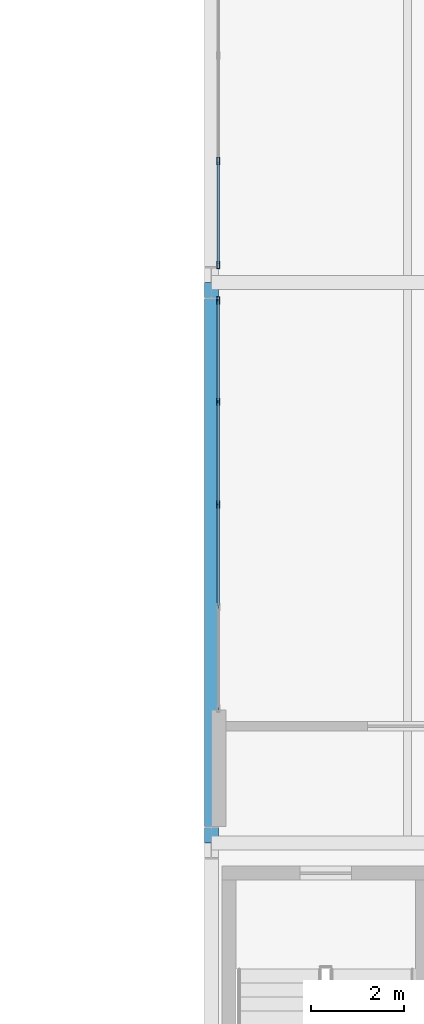
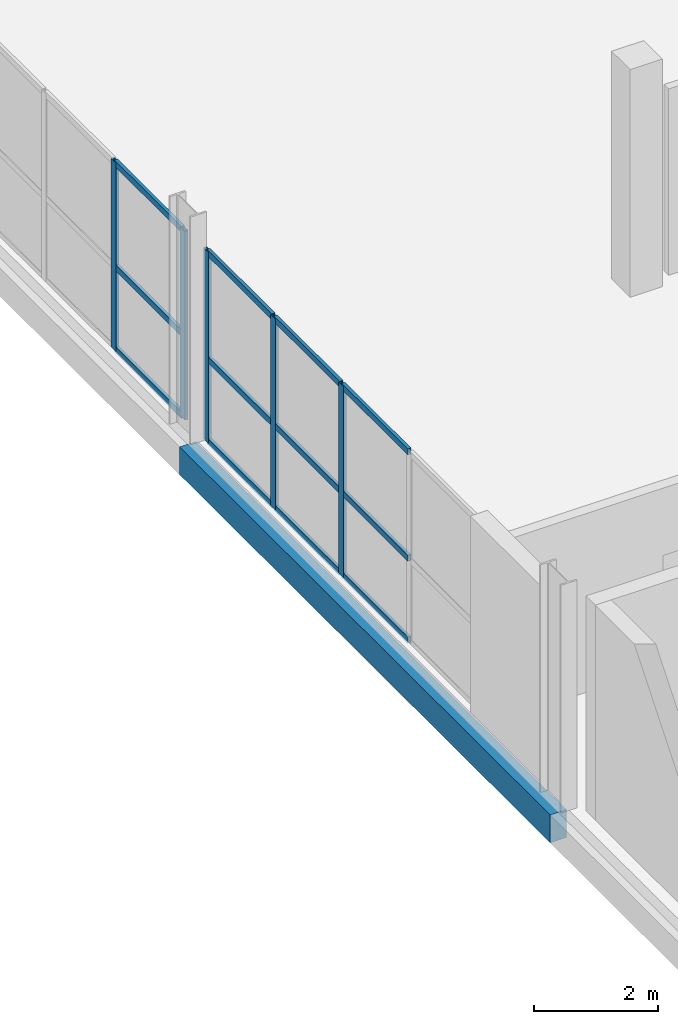
# One storey, part 45 of 113: 17 members, 1 beam, 2 elements without a shape of their own.
"""IFC4 building model written with IfcOpenShell, lengths in metres."""

from ifc_helpers import new_model, si_unit, direction, frame, origin, origin_2d, place, context, subcontext, project, spatial, rectangle, hollow_rectangle, extrude, material, material_profile, profile_set, type_object, element, aggregate, save


model = new_model("IFC4")

# Units and contexts
model_context = context("Model", 3, precision=1e-05, world=origin(), true_north=direction((0.0, 1.0)))
body_context = subcontext(model_context, "Body", "Model", "MODEL_VIEW")
ifc_project = project(units=[si_unit("LENGTHUNIT", "METRE"), si_unit("AREAUNIT", "SQUARE_METRE"), si_unit("VOLUMEUNIT", "CUBIC_METRE"), si_unit("PLANEANGLEUNIT", "RADIAN"), si_unit("MASSUNIT", "GRAM", prefix="KILO")], contexts=[model_context])

# Site, building, storey
site_placement = place(None, origin())
site = spatial("IfcSite", under=ifc_project, at=site_placement, CompositionType="ELEMENT")
building_placement = place(site_placement, origin())
building = spatial("IfcBuilding", under=site, at=building_placement, Name="Veltarok Museum of Natural Sciences", CompositionType="ELEMENT")
storey_placement = place(building_placement, frame((0.0, 0.0, 8.39990234375)))
storey = spatial("IfcBuildingStorey", under=building, at=storey_placement, Name="L01", CompositionType="ELEMENT", Elevation=8.39990234375)

# Curtain wall, members
ifc_material_1 = material(Name="Low-iron triple insulated glass", Category="glass")
curtain_wall_type_1 = type_object("IfcCurtainWallType", Name="Curtain Wall System CW-V5CW-L01-2-880x378 (CW-V5CW L01 880x378cm)", PredefinedType="NOTDEFINED", material=ifc_material_1)
curtain_wall_1_placement = place(storey_placement, origin())
curtain_wall_1 = element("IfcCurtainWall", 1, at=curtain_wall_1_placement, inside=storey, type_object=curtain_wall_type_1, Name="Curtain Wall CW-V5CW-L01-2-880x378 CW-0174", PredefinedType="NOTDEFINED")
ifc_material_2 = material(Name="Thermally broken anodised aluminium", Category="aluminium")
ifc_material_profile_1 = material_profile(ifc_material_2, hollow_rectangle(XDim=0.06005859375, YDim=0.1201171875, WallThickness=0.0048828125, at=origin_2d()), Name="CW TRANSOM 60x120x5")
ifc_profile_set_1 = profile_set([ifc_material_profile_1], Name="Thermally broken anodised aluminium")
member_type_1 = type_object("IfcMemberType", Name="Curtain Wall Horizontal Transom 60x120x5", PredefinedType="USERDEFINED", material=ifc_profile_set_1)
member_1_placement = place(storey_placement, frame((132.550048828125, 41.080078125, 0.028076171875), z_axis=(0.0, 1.0, 0.0), x_axis=(-1.0, 0.0, 0.0)))
member_1 = element("IfcMember", 2, at=member_1_placement, type_object=member_type_1, Name="CW-V5CW-L01-2-880x378 transom 2.1", ObjectType="TRANSOM", PredefinedType="USERDEFINED", context=body_context, shape_type="SweptSolid", body=[
    extrude(hollow_rectangle(XDim=0.06005859375, YDim=0.1201171875, WallThickness=0.0048828125, at=origin_2d()), origin(), (0.0, 0.0, 1.0), 2.139892578125),
])
member_2_placement = place(storey_placement, frame((132.550048828125, 41.080078125, 1.648193359375), z_axis=(0.0, 1.0, 0.0), x_axis=(-1.0, 0.0, 0.0)))
member_2 = element("IfcMember", 3, at=member_2_placement, type_object=member_type_1, Name="CW-V5CW-L01-2-880x378 transom 2.2", ObjectType="TRANSOM", PredefinedType="USERDEFINED", context=body_context, shape_type="SweptSolid", body=[
    extrude(hollow_rectangle(XDim=0.06005859375, YDim=0.1201171875, WallThickness=0.0048828125, at=origin_2d()), origin(), (0.0, 0.0, 1.0), 2.139892578125),
])
member_3_placement = place(storey_placement, frame((132.550048828125, 41.080078125, 3.75), z_axis=(0.0, 1.0, 0.0), x_axis=(-1.0, 0.0, 0.0)))
member_3 = element("IfcMember", 4, at=member_3_placement, type_object=member_type_1, Name="CW-V5CW-L01-2-880x378 transom 2.3", ObjectType="TRANSOM", PredefinedType="USERDEFINED", context=body_context, shape_type="SweptSolid", body=[
    extrude(hollow_rectangle(XDim=0.06005859375, YDim=0.1201171875, WallThickness=0.0048828125, at=origin_2d()), origin(), (0.0, 0.0, 1.0), 2.139892578125),
])
member_4_placement = place(storey_placement, frame((132.550048828125, 43.280029296875, 0.028076171875), z_axis=(0.0, 1.0, 0.0), x_axis=(-1.0, 0.0, 0.0)))
member_4 = element("IfcMember", 5, at=member_4_placement, type_object=member_type_1, Name="CW-V5CW-L01-2-880x378 transom 3.1", ObjectType="TRANSOM", PredefinedType="USERDEFINED", context=body_context, shape_type="SweptSolid", body=[
    extrude(hollow_rectangle(XDim=0.06005859375, YDim=0.1201171875, WallThickness=0.0048828125, at=origin_2d()), origin(), (0.0, 0.0, 1.0), 2.139892578125),
])
member_5_placement = place(storey_placement, frame((132.550048828125, 43.280029296875, 1.648193359375), z_axis=(0.0, 1.0, 0.0), x_axis=(-1.0, 0.0, 0.0)))
member_5 = element("IfcMember", 6, at=member_5_placement, type_object=member_type_1, Name="CW-V5CW-L01-2-880x378 transom 3.2", ObjectType="TRANSOM", PredefinedType="USERDEFINED", context=body_context, shape_type="SweptSolid", body=[
    extrude(hollow_rectangle(XDim=0.06005859375, YDim=0.1201171875, WallThickness=0.0048828125, at=origin_2d()), origin(), (0.0, 0.0, 1.0), 2.139892578125),
])
member_6_placement = place(storey_placement, frame((132.550048828125, 43.280029296875, 3.75), z_axis=(0.0, 1.0, 0.0), x_axis=(-1.0, 0.0, 0.0)))
member_6 = element("IfcMember", 7, at=member_6_placement, type_object=member_type_1, Name="CW-V5CW-L01-2-880x378 transom 3.3", ObjectType="TRANSOM", PredefinedType="USERDEFINED", context=body_context, shape_type="SweptSolid", body=[
    extrude(hollow_rectangle(XDim=0.06005859375, YDim=0.1201171875, WallThickness=0.0048828125, at=origin_2d()), origin(), (0.0, 0.0, 1.0), 2.139892578125),
])
member_7_placement = place(storey_placement, frame((132.550048828125, 45.47998046875, 0.028076171875), z_axis=(0.0, 1.0, 0.0), x_axis=(-1.0, 0.0, 0.0)))
member_7 = element("IfcMember", 8, at=member_7_placement, type_object=member_type_1, Name="CW-V5CW-L01-2-880x378 transom 4.1", ObjectType="TRANSOM", PredefinedType="USERDEFINED", context=body_context, shape_type="SweptSolid", body=[
    extrude(hollow_rectangle(XDim=0.06005859375, YDim=0.1201171875, WallThickness=0.0048828125, at=origin_2d()), origin(), (0.0, 0.0, 1.0), 2.110107421875),
])
member_8_placement = place(storey_placement, frame((132.550048828125, 45.47998046875, 1.648193359375), z_axis=(0.0, 1.0, 0.0), x_axis=(-1.0, 0.0, 0.0)))
member_8 = element("IfcMember", 9, at=member_8_placement, type_object=member_type_1, Name="CW-V5CW-L01-2-880x378 transom 4.2", ObjectType="TRANSOM", PredefinedType="USERDEFINED", context=body_context, shape_type="SweptSolid", body=[
    extrude(hollow_rectangle(XDim=0.06005859375, YDim=0.1201171875, WallThickness=0.0048828125, at=origin_2d()), origin(), (0.0, 0.0, 1.0), 2.110107421875),
])
member_9_placement = place(storey_placement, frame((132.550048828125, 45.47998046875, 3.75), z_axis=(0.0, 1.0, 0.0), x_axis=(-1.0, 0.0, 0.0)))
member_9 = element("IfcMember", 10, at=member_9_placement, type_object=member_type_1, Name="CW-V5CW-L01-2-880x378 transom 4.3", ObjectType="TRANSOM", PredefinedType="USERDEFINED", context=body_context, shape_type="SweptSolid", body=[
    extrude(hollow_rectangle(XDim=0.06005859375, YDim=0.1201171875, WallThickness=0.0048828125, at=origin_2d()), origin(), (0.0, 0.0, 1.0), 2.110107421875),
])

curtain_wall_type_2 = type_object("IfcCurtainWallType", Name="Curtain Wall System CW-V5CW-L01-3-1130x373 (CW-V5CW L01 1130x373cm)", PredefinedType="NOTDEFINED", material=ifc_material_1)
curtain_wall_2_placement = place(storey_placement, origin())
curtain_wall_2 = element("IfcCurtainWall", 11, at=curtain_wall_2_placement, inside=storey, type_object=curtain_wall_type_2, Name="Curtain Wall CW-V5CW-L01-3-1130x373 CW-0175", PredefinedType="NOTDEFINED")
member_10_placement = place(storey_placement, frame((132.550048828125, 48.409912109375, 0.028076171875), z_axis=(0.0, 1.0, 0.0), x_axis=(-1.0, 0.0, 0.0)))
member_10 = element("IfcMember", 12, at=member_10_placement, type_object=member_type_1, Name="CW-V5CW-L01-3-1130x373 transom 1.1", ObjectType="TRANSOM", PredefinedType="USERDEFINED", context=body_context, shape_type="SweptSolid", body=[
    extrude(hollow_rectangle(XDim=0.06005859375, YDim=0.1201171875, WallThickness=0.0048828125, at=origin_2d()), origin(), (0.0, 0.0, 1.0), 2.170166015625),
])
member_11_placement = place(storey_placement, frame((132.550048828125, 48.409912109375, 1.648193359375), z_axis=(0.0, 1.0, 0.0), x_axis=(-1.0, 0.0, 0.0)))
member_11 = element("IfcMember", 13, at=member_11_placement, type_object=member_type_1, Name="CW-V5CW-L01-3-1130x373 transom 1.2", ObjectType="TRANSOM", PredefinedType="USERDEFINED", context=body_context, shape_type="SweptSolid", body=[
    extrude(hollow_rectangle(XDim=0.06005859375, YDim=0.1201171875, WallThickness=0.0048828125, at=origin_2d()), origin(), (0.0, 0.0, 1.0), 2.170166015625),
])
member_12_placement = place(storey_placement, frame((132.550048828125, 48.409912109375, 3.7001953125), z_axis=(0.0, 1.0, 0.0), x_axis=(-1.0, 0.0, 0.0)))
member_12 = element("IfcMember", 14, at=member_12_placement, type_object=member_type_1, Name="CW-V5CW-L01-3-1130x373 transom 1.3", ObjectType="TRANSOM", PredefinedType="USERDEFINED", context=body_context, shape_type="SweptSolid", body=[
    extrude(hollow_rectangle(XDim=0.06005859375, YDim=0.1201171875, WallThickness=0.0048828125, at=origin_2d()), origin(), (0.0, 0.0, 1.0), 2.170166015625),
])

# Member
ifc_material_profile_2 = material_profile(ifc_material_2, hollow_rectangle(XDim=0.06005859375, YDim=0.159912109375, WallThickness=0.0048828125, at=origin_2d()), Name="CW MULLION 60x160x5")
ifc_profile_set_2 = profile_set([ifc_material_profile_2], Name="Thermally broken anodised aluminium")
member_type_2 = type_object("IfcMemberType", Name="Curtain Wall Vertical Mullion 60x160x5", PredefinedType="MULLION", material=ifc_profile_set_2)
member_13_placement = place(storey_placement, frame((132.550048828125, 43.25, -0.001953125), z_axis=(0.0, 0.0, 1.0), x_axis=(-1.0, 0.0, 0.0)))
member_13 = element("IfcMember", 15, at=member_13_placement, type_object=member_type_2, Name="CW-V5CW-L01-2-880x378 mullion 3", PredefinedType="MULLION", context=body_context, shape_type="SweptSolid", body=[
    extrude(hollow_rectangle(XDim=0.06005859375, YDim=0.159912109375, WallThickness=0.0048828125, at=origin_2d()), origin(), (0.0, 0.0, 1.0), 3.781982421875),
])

member_14_placement = place(storey_placement, frame((132.550048828125, 45.449951171875, -0.001953125), z_axis=(0.0, 0.0, 1.0), x_axis=(-1.0, 0.0, 0.0)))
member_14 = element("IfcMember", 16, at=member_14_placement, type_object=member_type_2, Name="CW-V5CW-L01-2-880x378 mullion 4", PredefinedType="MULLION", context=body_context, shape_type="SweptSolid", body=[
    extrude(hollow_rectangle(XDim=0.06005859375, YDim=0.159912109375, WallThickness=0.0048828125, at=origin_2d()), origin(), (0.0, 0.0, 1.0), 3.781982421875),
])

member_15_placement = place(storey_placement, frame((132.550048828125, 47.6201171875, -0.001953125), z_axis=(0.0, 0.0, 1.0), x_axis=(-1.0, 0.0, 0.0)))
member_15 = element("IfcMember", 17, at=member_15_placement, type_object=member_type_2, Name="CW-V5CW-L01-2-880x378 mullion 5", PredefinedType="MULLION", context=body_context, shape_type="SweptSolid", body=[
    extrude(hollow_rectangle(XDim=0.06005859375, YDim=0.159912109375, WallThickness=0.0048828125, at=origin_2d()), origin(), (0.0, 0.0, 1.0), 3.781982421875),
])

aggregate(curtain_wall_1, [member_13, member_14, member_15, member_1, member_2, member_3, member_4, member_5, member_6, member_7, member_8, member_9])

member_16_placement = place(storey_placement, frame((132.550048828125, 48.3798828125, -0.001953125), z_axis=(0.0, 0.0, 1.0), x_axis=(-1.0, 0.0, 0.0)))
member_16 = element("IfcMember", 18, at=member_16_placement, type_object=member_type_2, Name="CW-V5CW-L01-3-1130x373 mullion 1", PredefinedType="MULLION", context=body_context, shape_type="SweptSolid", body=[
    extrude(hollow_rectangle(XDim=0.06005859375, YDim=0.159912109375, WallThickness=0.0048828125, at=origin_2d()), origin(), (0.0, 0.0, 1.0), 3.73193359375),
])

member_17_placement = place(storey_placement, frame((132.550048828125, 50.610107421875, -0.001953125), z_axis=(0.0, 0.0, 1.0), x_axis=(-1.0, 0.0, 0.0)))
member_17 = element("IfcMember", 19, at=member_17_placement, type_object=member_type_2, Name="CW-V5CW-L01-3-1130x373 mullion 2", PredefinedType="MULLION", context=body_context, shape_type="SweptSolid", body=[
    extrude(hollow_rectangle(XDim=0.06005859375, YDim=0.159912109375, WallThickness=0.0048828125, at=origin_2d()), origin(), (0.0, 0.0, 1.0), 3.73193359375),
])

aggregate(curtain_wall_2, [member_16, member_17, member_10, member_11, member_12])

# Beam
ifc_material_3 = material(Name="Precast concrete C40/50", Category="concrete")
ifc_material_profile_3 = material_profile(ifc_material_3, rectangle(XDim=0.300048828125, YDim=0.550048828125, at=origin_2d()), Name="RC 300x550")
ifc_profile_set_3 = profile_set([ifc_material_profile_3], Name="Precast concrete C40/50")
beam_type = type_object("IfcBeamType", Name="East Wing Precast Spandrel RC 300x550", PredefinedType="SPANDREL", material=ifc_profile_set_3)
beam_placement = place(storey_placement, frame((132.39990234375, 36.0, -0.52490234375), z_axis=(0.0, 1.0, 0.0), x_axis=(-1.0, 0.0, 0.0)))
element("IfcBeam", 20, at=beam_placement, inside=storey, type_object=beam_type, Name="Beam BM-SP02 L01 16/E-F", PredefinedType="SPANDREL", context=body_context, shape_type="SweptSolid", body=[
    extrude(rectangle(XDim=0.300048828125, YDim=0.550048828125, at=origin_2d()), origin(), (0.0, 0.0, 1.0), 12.0),
])

save(model, "model.ifc")
